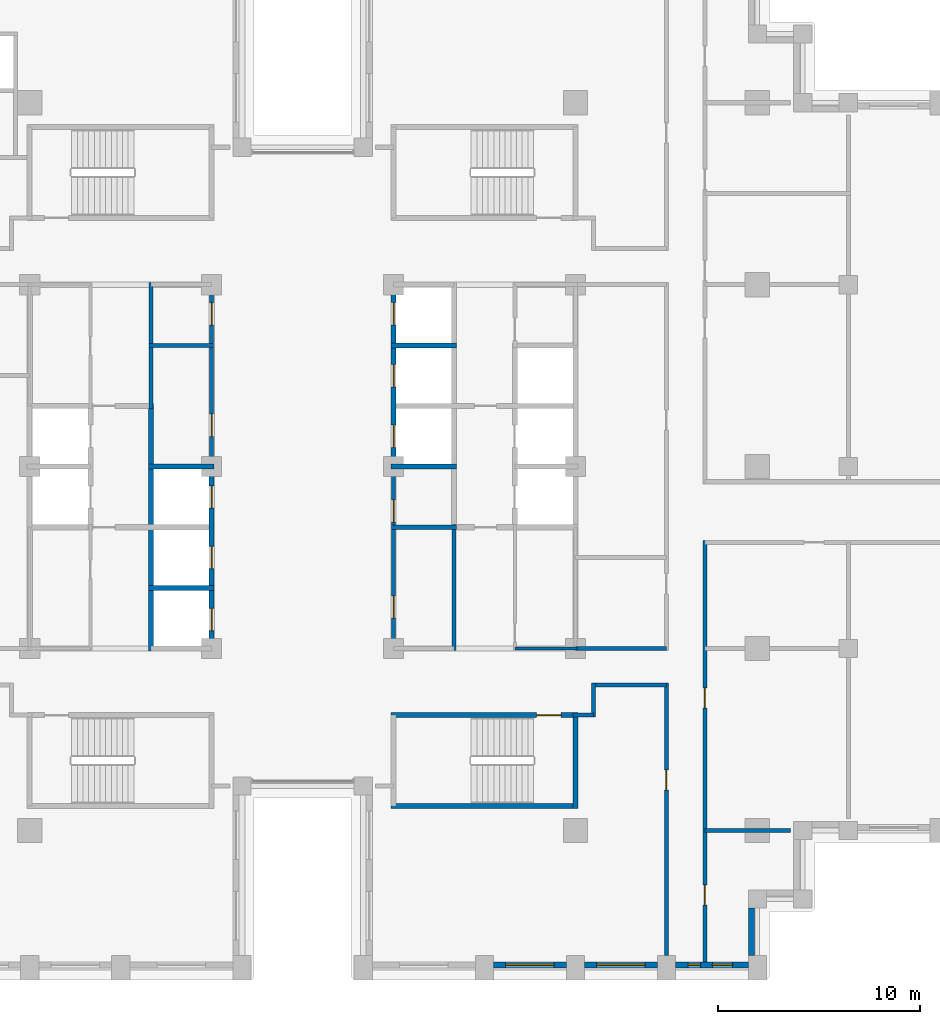
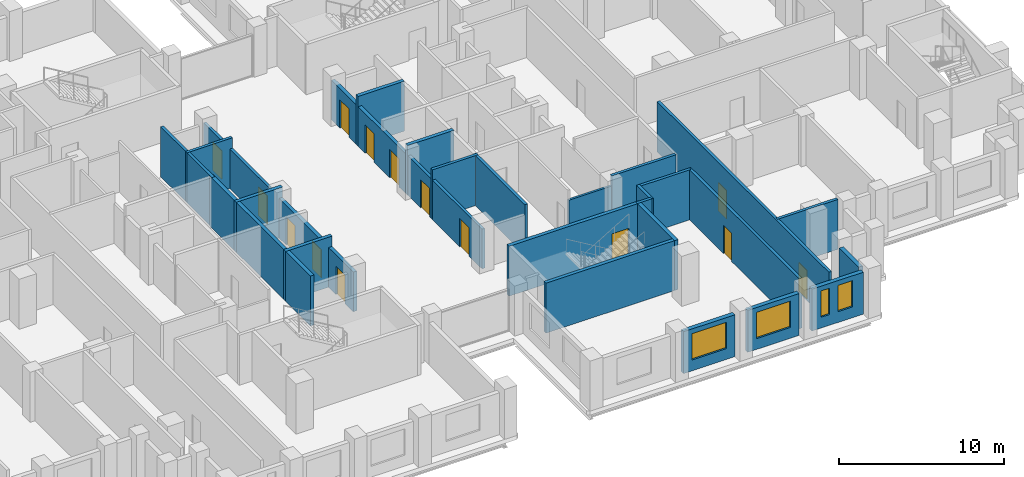
# One storey, part 8 of 15: 28 walls, 14 doors, 4 windows, 18 openings.
"""IFC4 building model written with IfcOpenShell, lengths in metres."""

from ifc_helpers import new_model, si_unit, direction, frame, frame_2d, origin, place, context, subcontext, project, spatial, rectangle, extrude, material, layer, layer_set, type_object, element, fill, save


model = new_model("IFC4")

# Units and contexts
model_context = context("Model", 3, precision=1e-05, world=origin(), true_north=direction((0.0, 1.0)))
body_context = subcontext(model_context, "Body", "Model", "MODEL_VIEW")
ifc_project = project(units=[si_unit("LENGTHUNIT", "METRE"), si_unit("AREAUNIT", "SQUARE_METRE"), si_unit("VOLUMEUNIT", "CUBIC_METRE"), si_unit("PLANEANGLEUNIT", "RADIAN"), si_unit("MASSUNIT", "GRAM", prefix="KILO")], contexts=[model_context])

# Site, building, storey
site_placement = place(None, origin())
site = spatial("IfcSite", under=ifc_project, at=site_placement, CompositionType="ELEMENT")
building_placement = place(site_placement, origin())
building = spatial("IfcBuilding", under=site, at=building_placement, Name="Corbelhall Arena Tower", CompositionType="ELEMENT")
storey_placement = place(building_placement, frame((0.0, 0.0, 100.0)))
storey = spatial("IfcBuildingStorey", under=building, at=storey_placement, Name="L17", CompositionType="ELEMENT", Elevation=100.0)

# Wall, opening, window
ifc_material_1 = material(Name="Precast concrete C40/50 with granite facing", Category="masonry")
ifc_layer_1 = layer(ifc_material_1, 0.300048828125)
ifc_layer_set_1 = layer_set([ifc_layer_1], Name="EV-IW1 Infill panel 300")
wall_type_1 = type_object("IfcWallType", Name="EV-IW1 Infill panel 300", PredefinedType="SOLIDWALL", material=ifc_layer_set_1)
wall_1_placement = place(storey_placement, frame((9.449951171875, -24.64990234375, 0.0), z_axis=(0.0, 0.0, 1.0), x_axis=(1.0, 0.0, 0.0)))
wall_1 = element("IfcWall", 1, at=wall_1_placement, inside=storey, type_object=wall_type_1, Name="Infill panel IW1", PredefinedType="SOLIDWALL", context=body_context, shape_type="SweptSolid", body=[
    extrude(rectangle(XDim=3.60009765625, YDim=0.300048828125, at=frame_2d((1.800048828125, 0.0))), origin(), (0.0, 0.0, 1.0), 3.10009765625),
])
opening_1_placement = place(wall_1_placement, frame((0.60009765625, 0.0, 0.800048828125)))
opening_1 = element("IfcOpeningElement", 2, at=opening_1_placement, cuts=wall_1, Name="Opening WN1", PredefinedType="OPENING", context=body_context, shape_type="SweptSolid", body=[
    extrude(rectangle(XDim=2.39990234375, YDim=1.949951171875, at=frame_2d((1.199951171875, 0.97509765625))), frame((0.0, 0.14990234375, 0.0), z_axis=(0.0, -1.0, 0.0), x_axis=(1.0, 0.0, 0.0)), (0.0, 0.0, 1.0), 0.300048828125),
])
ifc_material_2 = material(Name="Aluminium black anodised", Category="aluminium")
window_type_1 = type_object("IfcWindowType", Name="EV-WN1 Office window", PartitioningType="SINGLE_PANEL", PredefinedType="WINDOW", material=ifc_material_2)
window_1_placement = place(opening_1_placement, origin())
window_1 = element("IfcWindow", 3, at=window_1_placement, inside=storey, type_object=window_type_1, Name="Window WN1", OverallHeight=1.949951171875, OverallWidth=2.39990234375, PartitioningType="SINGLE_PANEL", PredefinedType="WINDOW", context=body_context, shape_type="SweptSolid", body=[
    extrude(rectangle(XDim=2.39990234375, YDim=1.949951171875, at=frame_2d((1.199951171875, 0.97509765625))), frame((0.0, 0.030029296875, 0.0), z_axis=(0.0, -1.0, 0.0), x_axis=(1.0, 0.0, 0.0)), (0.0, 0.0, 1.0), 0.06005859375),
])
fill(opening_1, window_1)

wall_2_placement = place(storey_placement, frame((13.949951171875, -24.64990234375, 0.0), z_axis=(0.0, 0.0, 1.0), x_axis=(1.0, 0.0, 0.0)))
wall_2 = element("IfcWall", 4, at=wall_2_placement, inside=storey, type_object=wall_type_1, Name="Infill panel IW1", PredefinedType="SOLIDWALL", context=body_context, shape_type="SweptSolid", body=[
    extrude(rectangle(XDim=3.60009765625, YDim=0.300048828125, at=frame_2d((1.800048828125, 0.0))), origin(), (0.0, 0.0, 1.0), 3.10009765625),
])
opening_2_placement = place(wall_2_placement, frame((0.60009765625, 0.0, 0.800048828125)))
opening_2 = element("IfcOpeningElement", 5, at=opening_2_placement, cuts=wall_2, Name="Opening WN1", PredefinedType="OPENING", context=body_context, shape_type="SweptSolid", body=[
    extrude(rectangle(XDim=2.39990234375, YDim=1.949951171875, at=frame_2d((1.199951171875, 0.97509765625))), frame((0.0, 0.14990234375, 0.0), z_axis=(0.0, -1.0, 0.0), x_axis=(1.0, 0.0, 0.0)), (0.0, 0.0, 1.0), 0.300048828125),
])
window_2_placement = place(opening_2_placement, origin())
window_2 = element("IfcWindow", 6, at=window_2_placement, inside=storey, type_object=window_type_1, Name="Window WN1", OverallHeight=1.949951171875, OverallWidth=2.39990234375, PartitioningType="SINGLE_PANEL", PredefinedType="WINDOW", context=body_context, shape_type="SweptSolid", body=[
    extrude(rectangle(XDim=2.39990234375, YDim=1.949951171875, at=frame_2d((1.199951171875, 0.97509765625))), frame((0.0, 0.030029296875, 0.0), z_axis=(0.0, -1.0, 0.0), x_axis=(1.0, 0.0, 0.0)), (0.0, 0.0, 1.0), 0.06005859375),
])
fill(opening_2, window_2)

# Wall, openings, windows
wall_3_placement = place(storey_placement, frame((18.449951171875, -24.64990234375, 0.0), z_axis=(0.0, 0.0, 1.0), x_axis=(1.0, 0.0, 0.0)))
wall_3 = element("IfcWall", 7, at=wall_3_placement, inside=storey, type_object=wall_type_1, Name="Infill panel IW1", PredefinedType="SOLIDWALL", context=body_context, shape_type="SweptSolid", body=[
    extrude(rectangle(XDim=3.60009765625, YDim=0.300048828125, at=frame_2d((1.800048828125, 0.0))), origin(), (0.0, 0.0, 1.0), 3.10009765625),
])
opening_3_placement = place(wall_3_placement, frame((0.625, 0.0, 0.800048828125)))
opening_3 = element("IfcOpeningElement", 8, at=opening_3_placement, cuts=wall_3, Name="Opening WN5", PredefinedType="OPENING", context=body_context, shape_type="SweptSolid", body=[
    extrude(rectangle(XDim=0.60009765625, YDim=1.949951171875, at=frame_2d((0.300048828125, 0.97509765625))), frame((0.0, 0.14990234375, 0.0), z_axis=(0.0, -1.0, 0.0), x_axis=(1.0, 0.0, 0.0)), (0.0, 0.0, 1.0), 0.300048828125),
])
opening_4_placement = place(wall_3_placement, frame((1.824951171875, 0.0, 0.800048828125)))
opening_4 = element("IfcOpeningElement", 9, at=opening_4_placement, cuts=wall_3, Name="Opening WN6", PredefinedType="OPENING", context=body_context, shape_type="SweptSolid", body=[
    extrude(rectangle(XDim=1.0, YDim=1.949951171875, at=frame_2d((0.5, 0.97509765625))), frame((0.0, 0.14990234375, 0.0), z_axis=(0.0, -1.0, 0.0), x_axis=(1.0, 0.0, 0.0)), (0.0, 0.0, 1.0), 0.300048828125),
])
window_type_2 = type_object("IfcWindowType", Name="EV-WN5 Office window 600", PartitioningType="SINGLE_PANEL", PredefinedType="WINDOW", material=ifc_material_2)
window_3_placement = place(opening_3_placement, origin())
window_3 = element("IfcWindow", 10, at=window_3_placement, inside=storey, type_object=window_type_2, Name="Window WN5", OverallHeight=1.949951171875, OverallWidth=0.60009765625, PartitioningType="SINGLE_PANEL", PredefinedType="WINDOW", context=body_context, shape_type="SweptSolid", body=[
    extrude(rectangle(XDim=0.60009765625, YDim=1.949951171875, at=frame_2d((0.300048828125, 0.97509765625))), frame((0.0, 0.030029296875, 0.0), z_axis=(0.0, -1.0, 0.0), x_axis=(1.0, 0.0, 0.0)), (0.0, 0.0, 1.0), 0.06005859375),
])
fill(opening_3, window_3)
window_type_3 = type_object("IfcWindowType", Name="EV-WN6 Office window 1000", PartitioningType="SINGLE_PANEL", PredefinedType="WINDOW", material=ifc_material_2)
window_4_placement = place(opening_4_placement, origin())
window_4 = element("IfcWindow", 11, at=window_4_placement, inside=storey, type_object=window_type_3, Name="Window WN6", OverallHeight=1.949951171875, OverallWidth=1.0, PartitioningType="SINGLE_PANEL", PredefinedType="WINDOW", context=body_context, shape_type="SweptSolid", body=[
    extrude(rectangle(XDim=1.0, YDim=1.949951171875, at=frame_2d((0.5, 0.97509765625))), frame((0.0, 0.030029296875, 0.0), z_axis=(0.0, -1.0, 0.0), x_axis=(1.0, 0.0, 0.0)), (0.0, 0.0, 1.0), 0.06005859375),
])
fill(opening_4, window_4)

# Walls
wall_4_placement = place(storey_placement, frame((22.199951171875, -24.199951171875, 0.0), z_axis=(0.0, 0.0, 1.0), x_axis=(0.0, 1.0, 0.0)))
element("IfcWall", 12, at=wall_4_placement, inside=storey, type_object=wall_type_1, Name="Infill panel IW1", PredefinedType="SOLIDWALL", context=body_context, shape_type="SweptSolid", body=[
    extrude(rectangle(XDim=2.349853515625, YDim=0.300048828125, at=frame_2d((1.1748046875, 0.0))), origin(), (0.0, 0.0, 1.0), 3.10009765625),
])
ifc_material_3 = material(Name="Gypsum board on steel stud, acoustic", Category="steel")
ifc_layer_2 = layer(ifc_material_3, 0.199951171875)
ifc_layer_set_2 = layer_set([ifc_layer_2], Name="IN-W-DM200")
wall_type_2 = type_object("IfcWallType", Name="IN-W-DM200", PredefinedType="PARTITIONING", material=ifc_layer_set_2)
wall_5_placement = place(storey_placement, frame((13.5, -9.0, 0.0), z_axis=(0.0, 0.0, 1.0), x_axis=(1.0, 0.0, 0.0)))
element("IfcWall", 13, at=wall_5_placement, inside=storey, type_object=wall_type_2, Name="Partition 037", PredefinedType="PARTITIONING", context=body_context, shape_type="SweptSolid", body=[
    extrude(rectangle(XDim=4.5, YDim=0.199951171875, at=frame_2d((2.25, 0.0))), origin(), (0.0, 0.0, 1.0), 3.699951171875),
])
wall_6_placement = place(storey_placement, frame((14.39990234375, -12.300048828125, 0.0), z_axis=(0.0, 0.0, 1.0), x_axis=(-1.0, 0.0, 0.0)))
element("IfcWall", 14, at=wall_6_placement, inside=storey, type_object=wall_type_2, Name="Partition 039", PredefinedType="PARTITIONING", context=body_context, shape_type="SweptSolid", body=[
    extrude(rectangle(XDim=1.02490234375, YDim=0.199951171875, at=frame_2d((0.512451171875, 0.0))), origin(), (0.0, 0.0, 1.0), 3.699951171875),
])
wall_7_placement = place(storey_placement, frame((14.39990234375, -10.699951171875, 0.0), z_axis=(0.0, 0.0, 1.0), x_axis=(0.0, -1.0, 0.0)))
element("IfcWall", 15, at=wall_7_placement, inside=storey, type_object=wall_type_2, Name="Partition 040", PredefinedType="PARTITIONING", context=body_context, shape_type="SweptSolid", body=[
    extrude(rectangle(XDim=1.699951171875, YDim=0.199951171875, at=frame_2d((0.85009765625, 0.0))), origin(), (0.0, 0.0, 1.0), 3.699951171875),
])

# Wall, opening, door
wall_8_placement = place(storey_placement, frame((18.0, -24.199951171875, 0.0), z_axis=(0.0, 0.0, 1.0), x_axis=(0.0, 1.0, 0.0)))
wall_8 = element("IfcWall", 16, at=wall_8_placement, inside=storey, type_object=wall_type_2, Name="Partition 044", PredefinedType="PARTITIONING", context=body_context, shape_type="SweptSolid", body=[
    extrude(rectangle(XDim=13.5, YDim=0.199951171875, at=frame_2d((6.75, 0.0))), origin(), (0.0, 0.0, 1.0), 3.699951171875),
])
opening_5_placement = place(wall_8_placement, frame((8.199951171875, 0.0, 0.0)))
opening_5 = element("IfcOpeningElement", 17, at=opening_5_placement, cuts=wall_8, Name="Opening 03028", PredefinedType="OPENING", context=body_context, shape_type="SweptSolid", body=[
    extrude(rectangle(XDim=1.0, YDim=2.10009765625, at=frame_2d((0.5, 1.050048828125))), frame((0.0, 0.10009765625, 0.0), z_axis=(0.0, -1.0, 0.0), x_axis=(1.0, 0.0, 0.0)), (0.0, 0.0, 1.0), 0.199951171875),
])
ifc_material_4 = material(Name="Steel door set", Category="steel")
door_type_1 = type_object("IfcDoorType", Name="IN-D-SW100", OperationType="NOTDEFINED", PredefinedType="DOOR", material=ifc_material_4)
door_1_placement = place(opening_5_placement, origin())
door_1 = element("IfcDoor", 18, at=door_1_placement, inside=storey, type_object=door_type_1, Name="Door 028", OperationType="SINGLE_SWING_LEFT", OverallHeight=2.10009765625, OverallWidth=1.0, PredefinedType="DOOR", context=body_context, shape_type="SweptSolid", body=[
    extrude(rectangle(XDim=1.0, YDim=2.10009765625, at=frame_2d((0.5, 1.050048828125))), frame((0.0, 0.02490234375, 0.0), z_axis=(0.0, -1.0, 0.0), x_axis=(1.0, 0.0, 0.0)), (0.0, 0.0, 1.0), 0.050048828125),
])
fill(opening_5, door_1)

# Walls
wall_9_placement = place(storey_placement, frame((18.0, -10.800048828125, 0.0), z_axis=(0.0, 0.0, 1.0), x_axis=(-1.0, 0.0, 0.0)))
element("IfcWall", 19, at=wall_9_placement, inside=storey, type_object=wall_type_2, Name="Partition 045", PredefinedType="PARTITIONING", context=body_context, shape_type="SweptSolid", body=[
    extrude(rectangle(XDim=3.60009765625, YDim=0.199951171875, at=frame_2d((1.800048828125, 0.0))), origin(), (0.0, 0.0, 1.0), 3.699951171875),
])
wall_10_placement = place(storey_placement, frame((19.89990234375, -18.0, 0.0), z_axis=(0.0, 0.0, 1.0), x_axis=(1.0, 0.0, 0.0)))
element("IfcWall", 20, at=wall_10_placement, inside=storey, type_object=wall_type_2, Name="Partition 048", PredefinedType="PARTITIONING", context=body_context, shape_type="SweptSolid", body=[
    extrude(rectangle(XDim=4.25, YDim=0.199951171875, at=frame_2d((2.125, 0.0))), origin(), (0.0, 0.0, 1.0), 3.699951171875),
])

# Wall, openings, doors
wall_11_placement = place(storey_placement, frame((19.89990234375, -3.64990234375, 0.0), z_axis=(0.0, 0.0, 1.0), x_axis=(0.0, -1.0, 0.0)))
wall_11 = element("IfcWall", 21, at=wall_11_placement, inside=storey, type_object=wall_type_2, Name="Partition 049", PredefinedType="PARTITIONING", context=body_context, shape_type="SweptSolid", body=[
    extrude(rectangle(XDim=20.85009765625, YDim=0.199951171875, at=frame_2d((10.425048828125, 0.0))), origin(), (0.0, 0.0, 1.0), 3.699951171875),
])
opening_6_placement = place(wall_11_placement, frame((17.050048828125, 0.0, 0.0)))
opening_6 = element("IfcOpeningElement", 22, at=opening_6_placement, cuts=wall_11, Name="Opening 03038", PredefinedType="OPENING", context=body_context, shape_type="SweptSolid", body=[
    extrude(rectangle(XDim=1.0, YDim=2.10009765625, at=frame_2d((0.5, 1.050048828125))), frame((0.0, 0.10009765625, 0.0), z_axis=(0.0, -1.0, 0.0), x_axis=(1.0, 0.0, 0.0)), (0.0, 0.0, 1.0), 0.199951171875),
])
opening_7_placement = place(wall_11_placement, frame((7.300048828125, 0.0, 0.0)))
opening_7 = element("IfcOpeningElement", 23, at=opening_7_placement, cuts=wall_11, Name="Opening 03039", PredefinedType="OPENING", context=body_context, shape_type="SweptSolid", body=[
    extrude(rectangle(XDim=1.0, YDim=2.10009765625, at=frame_2d((0.5, 1.050048828125))), frame((0.0, 0.10009765625, 0.0), z_axis=(0.0, -1.0, 0.0), x_axis=(1.0, 0.0, 0.0)), (0.0, 0.0, 1.0), 0.199951171875),
])
door_2_placement = place(opening_6_placement, origin())
door_2 = element("IfcDoor", 24, at=door_2_placement, inside=storey, type_object=door_type_1, Name="Door 038", OperationType="SINGLE_SWING_LEFT", OverallHeight=2.10009765625, OverallWidth=1.0, PredefinedType="DOOR", context=body_context, shape_type="SweptSolid", body=[
    extrude(rectangle(XDim=1.0, YDim=2.10009765625, at=frame_2d((0.5, 1.050048828125))), frame((0.0, 0.02490234375, 0.0), z_axis=(0.0, -1.0, 0.0), x_axis=(1.0, 0.0, 0.0)), (0.0, 0.0, 1.0), 0.050048828125),
])
fill(opening_6, door_2)
door_3_placement = place(opening_7_placement, origin())
door_3 = element("IfcDoor", 25, at=door_3_placement, inside=storey, type_object=door_type_1, Name="Door 039", OperationType="SINGLE_SWING_RIGHT", OverallHeight=2.10009765625, OverallWidth=1.0, PredefinedType="DOOR", context=body_context, shape_type="SweptSolid", body=[
    extrude(rectangle(XDim=1.0, YDim=2.10009765625, at=frame_2d((0.5, 1.050048828125))), frame((0.0, 0.02490234375, 0.0), z_axis=(0.0, -1.0, 0.0), x_axis=(1.0, 0.0, 0.0)), (0.0, 0.0, 1.0), 0.050048828125),
])
fill(opening_7, door_3)

# Walls
ifc_material_5 = material(Name="Concrete block wall", Category="concrete")
ifc_layer_3 = layer(ifc_material_5, 0.199951171875)
ifc_layer_set_3 = layer_set([ifc_layer_3], Name="IN-W-RS200")
wall_type_3 = type_object("IfcWallType", Name="IN-W-RS200", PredefinedType="SOLIDWALL", material=ifc_layer_set_3)
wall_12_placement = place(storey_placement, frame((-7.60009765625, 6.0, 0.0), z_axis=(0.0, 0.0, 1.0), x_axis=(1.0, 0.0, 0.0)))
element("IfcWall", 26, at=wall_12_placement, inside=storey, type_object=wall_type_3, Name="Partition 063", PredefinedType="SOLIDWALL", context=body_context, shape_type="SweptSolid", body=[
    extrude(rectangle(XDim=3.2001953125, YDim=0.199951171875, at=frame_2d((1.60009765625, 0.0))), origin(), (0.0, 0.0, 1.0), 3.699951171875),
])
wall_13_placement = place(storey_placement, frame((-7.5, 2.875, 0.0), z_axis=(0.0, 0.0, 1.0), x_axis=(0.0, 1.0, 0.0)))
element("IfcWall", 27, at=wall_13_placement, inside=storey, type_object=wall_type_3, Name="Partition 064", PredefinedType="SOLIDWALL", context=body_context, shape_type="SweptSolid", body=[
    extrude(rectangle(XDim=6.22509765625, YDim=0.199951171875, at=frame_2d((3.112548828125, 0.0))), origin(), (0.0, 0.0, 1.0), 3.699951171875),
])
wall_14_placement = place(storey_placement, frame((4.39990234375, -3.0, 0.0), z_axis=(0.0, 0.0, 1.0), x_axis=(1.0, 0.0, 0.0)))
element("IfcWall", 28, at=wall_14_placement, inside=storey, type_object=wall_type_3, Name="Partition 067", PredefinedType="SOLIDWALL", context=body_context, shape_type="SweptSolid", body=[
    extrude(rectangle(XDim=3.22509765625, YDim=0.199951171875, at=frame_2d((1.612548828125, 0.0))), origin(), (0.0, 0.0, 1.0), 3.699951171875),
])
wall_15_placement = place(storey_placement, frame((7.5, -2.875, 0.0), z_axis=(0.0, 0.0, 1.0), x_axis=(0.0, -1.0, 0.0)))
element("IfcWall", 29, at=wall_15_placement, inside=storey, type_object=wall_type_3, Name="Partition 070", PredefinedType="SOLIDWALL", context=body_context, shape_type="SweptSolid", body=[
    extrude(rectangle(XDim=6.22509765625, YDim=0.199951171875, at=frame_2d((3.112548828125, 0.0))), origin(), (0.0, 0.0, 1.0), 3.699951171875),
])

# Wall, openings, doors
ifc_layer_4 = layer(ifc_material_5, 0.199951171875)
ifc_layer_set_4 = layer_set([ifc_layer_4], Name="IN-W-RS200 under beam 762 mm")
wall_type_4 = type_object("IfcWallType", Name="IN-W-RS200 under beam 762 mm", PredefinedType="SOLIDWALL", material=ifc_layer_set_4)
wall_16_placement = place(storey_placement, frame((-4.5, 9.10009765625, 0.0), z_axis=(0.0, 0.0, 1.0), x_axis=(0.0, -1.0, 0.0)))
wall_16 = element("IfcWall", 30, at=wall_16_placement, inside=storey, type_object=wall_type_4, Name="Partition 066", PredefinedType="SOLIDWALL", context=body_context, shape_type="SweptSolid", body=[
    extrude(rectangle(XDim=9.10009765625, YDim=0.199951171875, at=frame_2d((4.550048828125, 0.0))), origin(), (0.0, 0.0, 1.0), 2.93798828125),
])
opening_8_placement = place(wall_16_placement, frame((6.5, 0.0, 0.0)))
opening_8 = element("IfcOpeningElement", 31, at=opening_8_placement, cuts=wall_16, Name="Opening 03001", PredefinedType="OPENING", context=body_context, shape_type="SweptSolid", body=[
    extrude(rectangle(XDim=1.10009765625, YDim=2.10009765625, at=frame_2d((0.550048828125, 1.050048828125))), frame((0.0, 0.10009765625, 0.0), z_axis=(0.0, -1.0, 0.0), x_axis=(1.0, 0.0, 0.0)), (0.0, 0.0, 1.0), 0.199951171875),
])
opening_9_placement = place(wall_16_placement, frame((1.0, 0.0, 0.0)))
opening_9 = element("IfcOpeningElement", 32, at=opening_9_placement, cuts=wall_16, Name="Opening 03002", PredefinedType="OPENING", context=body_context, shape_type="SweptSolid", body=[
    extrude(rectangle(XDim=1.10009765625, YDim=2.10009765625, at=frame_2d((0.550048828125, 1.050048828125))), frame((0.0, 0.10009765625, 0.0), z_axis=(0.0, -1.0, 0.0), x_axis=(1.0, 0.0, 0.0)), (0.0, 0.0, 1.0), 0.199951171875),
])
door_type_2 = type_object("IfcDoorType", Name="IN-D-FD110", OperationType="NOTDEFINED", PredefinedType="DOOR", material=ifc_material_4)
door_4_placement = place(opening_8_placement, origin())
door_4 = element("IfcDoor", 33, at=door_4_placement, inside=storey, type_object=door_type_2, Name="Door 001", OperationType="SINGLE_SWING_RIGHT", OverallHeight=2.10009765625, OverallWidth=1.10009765625, PredefinedType="DOOR", context=body_context, shape_type="SweptSolid", body=[
    extrude(rectangle(XDim=1.10009765625, YDim=2.10009765625, at=frame_2d((0.550048828125, 1.050048828125))), frame((0.0, 0.02490234375, 0.0), z_axis=(0.0, -1.0, 0.0), x_axis=(1.0, 0.0, 0.0)), (0.0, 0.0, 1.0), 0.050048828125),
])
fill(opening_8, door_4)
door_5_placement = place(opening_9_placement, origin())
door_5 = element("IfcDoor", 34, at=door_5_placement, inside=storey, type_object=door_type_2, Name="Door 002", OperationType="SINGLE_SWING_LEFT", OverallHeight=2.10009765625, OverallWidth=1.10009765625, PredefinedType="DOOR", context=body_context, shape_type="SweptSolid", body=[
    extrude(rectangle(XDim=1.10009765625, YDim=2.10009765625, at=frame_2d((0.550048828125, 1.050048828125))), frame((0.0, 0.02490234375, 0.0), z_axis=(0.0, -1.0, 0.0), x_axis=(1.0, 0.0, 0.0)), (0.0, 0.0, 1.0), 0.050048828125),
])
fill(opening_9, door_5)

wall_17_placement = place(storey_placement, frame((4.5, -9.10009765625, 0.0), z_axis=(0.0, 0.0, 1.0), x_axis=(0.0, 1.0, 0.0)))
wall_17 = element("IfcWall", 35, at=wall_17_placement, inside=storey, type_object=wall_type_4, Name="Partition 068", PredefinedType="SOLIDWALL", context=body_context, shape_type="SweptSolid", body=[
    extrude(rectangle(XDim=9.10009765625, YDim=0.199951171875, at=frame_2d((4.550048828125, 0.0))), origin(), (0.0, 0.0, 1.0), 2.93798828125),
])
opening_10_placement = place(wall_17_placement, frame((1.60009765625, 0.0, 0.0)))
opening_10 = element("IfcOpeningElement", 36, at=opening_10_placement, cuts=wall_17, Name="Opening 03007", PredefinedType="OPENING", context=body_context, shape_type="SweptSolid", body=[
    extrude(rectangle(XDim=1.10009765625, YDim=2.10009765625, at=frame_2d((0.550048828125, 1.050048828125))), frame((0.0, 0.10009765625, 0.0), z_axis=(0.0, -1.0, 0.0), x_axis=(1.0, 0.0, 0.0)), (0.0, 0.0, 1.0), 0.199951171875),
])
opening_11_placement = place(wall_17_placement, frame((6.35009765625, 0.0, 0.0)))
opening_11 = element("IfcOpeningElement", 37, at=opening_11_placement, cuts=wall_17, Name="Opening 03008", PredefinedType="OPENING", context=body_context, shape_type="SweptSolid", body=[
    extrude(rectangle(XDim=1.10009765625, YDim=2.10009765625, at=frame_2d((0.550048828125, 1.050048828125))), frame((0.0, 0.10009765625, 0.0), z_axis=(0.0, -1.0, 0.0), x_axis=(1.0, 0.0, 0.0)), (0.0, 0.0, 1.0), 0.199951171875),
])
door_6_placement = place(opening_10_placement, origin())
door_6 = element("IfcDoor", 38, at=door_6_placement, inside=storey, type_object=door_type_2, Name="Door 007", OperationType="SINGLE_SWING_RIGHT", OverallHeight=2.10009765625, OverallWidth=1.10009765625, PredefinedType="DOOR", context=body_context, shape_type="SweptSolid", body=[
    extrude(rectangle(XDim=1.10009765625, YDim=2.10009765625, at=frame_2d((0.550048828125, 1.050048828125))), frame((0.0, 0.02490234375, 0.0), z_axis=(0.0, -1.0, 0.0), x_axis=(1.0, 0.0, 0.0)), (0.0, 0.0, 1.0), 0.050048828125),
])
fill(opening_10, door_6)
door_7_placement = place(opening_11_placement, origin())
door_7 = element("IfcDoor", 39, at=door_7_placement, inside=storey, type_object=door_type_2, Name="Door 008", OperationType="SINGLE_SWING_LEFT", OverallHeight=2.10009765625, OverallWidth=1.10009765625, PredefinedType="DOOR", context=body_context, shape_type="SweptSolid", body=[
    extrude(rectangle(XDim=1.10009765625, YDim=2.10009765625, at=frame_2d((0.550048828125, 1.050048828125))), frame((0.0, 0.02490234375, 0.0), z_axis=(0.0, -1.0, 0.0), x_axis=(1.0, 0.0, 0.0)), (0.0, 0.0, 1.0), 0.050048828125),
])
fill(opening_11, door_7)

# Walls
ifc_material_6 = material(Name="Concrete C40/50", Category="concrete")
ifc_layer_5 = layer(ifc_material_6, 0.25)
ifc_layer_set_5 = layer_set([ifc_layer_5], Name="IN-W-SH250")
wall_type_5 = type_object("IfcWallType", Name="IN-W-SH250", PredefinedType="SOLIDWALL", material=ifc_layer_set_5)
for number, where, z_axis, x_axis, name in (
    (40, (-7.625, -6.0, 0.0), (0.0, 0.0, 1.0), (1.0, 0.0, 0.0), "Shaft wall 079"),
    (41, (-7.625, 0.0, 0.0), (0.0, 0.0, 1.0), (1.0, 0.0, 0.0), "Shaft wall 080"),
):
    element("IfcWall", number, at=place(storey_placement, frame(where, z_axis=z_axis, x_axis=x_axis)), inside=storey, type_object=wall_type_5, Name=name, PredefinedType="SOLIDWALL", context=body_context, shape_type="SweptSolid", body=[
        extrude(rectangle(XDim=3.25, YDim=0.25, at=frame_2d((1.625, 0.0))), origin(), (0.0, 0.0, 1.0), 3.699951171875),
    ])
wall_18_placement = place(storey_placement, frame((-7.5, -9.125, 0.0), z_axis=(0.0, 0.0, 1.0), x_axis=(0.0, 1.0, 0.0)))
element("IfcWall", 42, at=wall_18_placement, inside=storey, type_object=wall_type_5, Name="Shaft wall 081", PredefinedType="SOLIDWALL", context=body_context, shape_type="SweptSolid", body=[
    extrude(rectangle(XDim=12.25, YDim=0.25, at=frame_2d((6.125, 0.0))), origin(), (0.0, 0.0, 1.0), 3.699951171875),
])
for number, where, z_axis, x_axis, name in (
    (43, (4.375, 0.0, 0.0), (0.0, 0.0, 1.0), (1.0, 0.0, 0.0), "Shaft wall 084"),
    (44, (4.375, 6.0, 0.0), (0.0, 0.0, 1.0), (1.0, 0.0, 0.0), "Shaft wall 086"),
):
    element("IfcWall", number, at=place(storey_placement, frame(where, z_axis=z_axis, x_axis=x_axis)), inside=storey, type_object=wall_type_5, Name=name, PredefinedType="SOLIDWALL", context=body_context, shape_type="SweptSolid", body=[
        extrude(rectangle(XDim=3.25, YDim=0.25, at=frame_2d((1.625, 0.0))), origin(), (0.0, 0.0, 1.0), 3.699951171875),
    ])

# Wall, openings, doors
ifc_layer_6 = layer(ifc_material_6, 0.25)
ifc_layer_set_6 = layer_set([ifc_layer_6], Name="IN-W-SH250 under beam 762 mm")
wall_type_6 = type_object("IfcWallType", Name="IN-W-SH250 under beam 762 mm", PredefinedType="SOLIDWALL", material=ifc_layer_set_6)
wall_19_placement = place(storey_placement, frame((-4.5, 0.0, 0.0), z_axis=(0.0, 0.0, 1.0), x_axis=(0.0, -1.0, 0.0)))
wall_19 = element("IfcWall", 45, at=wall_19_placement, inside=storey, type_object=wall_type_6, Name="Shaft wall 083", PredefinedType="SOLIDWALL", context=body_context, shape_type="SweptSolid", body=[
    extrude(rectangle(XDim=9.125, YDim=0.25, at=frame_2d((4.5625, 0.0))), origin(), (0.0, 0.0, 1.0), 2.93798828125),
])
opening_12_placement = place(wall_19_placement, frame((7.012451171875, 0.0, 0.0)))
opening_12 = element("IfcOpeningElement", 46, at=opening_12_placement, cuts=wall_19, Name="Opening LD", PredefinedType="OPENING", context=body_context, shape_type="SweptSolid", body=[
    extrude(rectangle(XDim=1.10009765625, YDim=2.10009765625, at=frame_2d((0.550048828125, 1.050048828125))), frame((0.0, 0.125, 0.0), z_axis=(0.0, -1.0, 0.0), x_axis=(1.0, 0.0, 0.0)), (0.0, 0.0, 1.0), 0.25),
])
opening_13_placement = place(wall_19_placement, frame((3.949951171875, 0.0, 0.0)))
opening_13 = element("IfcOpeningElement", 47, at=opening_13_placement, cuts=wall_19, Name="Opening LD", PredefinedType="OPENING", context=body_context, shape_type="SweptSolid", body=[
    extrude(rectangle(XDim=1.10009765625, YDim=2.10009765625, at=frame_2d((0.550048828125, 1.050048828125))), frame((0.0, 0.125, 0.0), z_axis=(0.0, -1.0, 0.0), x_axis=(1.0, 0.0, 0.0)), (0.0, 0.0, 1.0), 0.25),
])
opening_14_placement = place(wall_19_placement, frame((0.949951171875, 0.0, 0.0)))
opening_14 = element("IfcOpeningElement", 48, at=opening_14_placement, cuts=wall_19, Name="Opening LD", PredefinedType="OPENING", context=body_context, shape_type="SweptSolid", body=[
    extrude(rectangle(XDim=1.10009765625, YDim=2.10009765625, at=frame_2d((0.550048828125, 1.050048828125))), frame((0.0, 0.125, 0.0), z_axis=(0.0, -1.0, 0.0), x_axis=(1.0, 0.0, 0.0)), (0.0, 0.0, 1.0), 0.25),
])
door_type_3 = type_object("IfcDoorType", Name="IN-D-LD110", OperationType="NOTDEFINED", PredefinedType="DOOR", material=ifc_material_4)
door_8_placement = place(opening_12_placement, origin())
door_8 = element("IfcDoor", 49, at=door_8_placement, inside=storey, type_object=door_type_3, Name="Landing door W1", OperationType="SLIDING_TO_LEFT", OverallHeight=2.10009765625, OverallWidth=1.10009765625, PredefinedType="DOOR", context=body_context, shape_type="SweptSolid", body=[
    extrude(rectangle(XDim=1.10009765625, YDim=2.10009765625, at=frame_2d((0.550048828125, 1.050048828125))), frame((0.0, 0.02490234375, 0.0), z_axis=(0.0, -1.0, 0.0), x_axis=(1.0, 0.0, 0.0)), (0.0, 0.0, 1.0), 0.050048828125),
])
fill(opening_12, door_8)
door_9_placement = place(opening_13_placement, origin())
door_9 = element("IfcDoor", 50, at=door_9_placement, inside=storey, type_object=door_type_3, Name="Landing door W2", OperationType="SLIDING_TO_LEFT", OverallHeight=2.10009765625, OverallWidth=1.10009765625, PredefinedType="DOOR", context=body_context, shape_type="SweptSolid", body=[
    extrude(rectangle(XDim=1.10009765625, YDim=2.10009765625, at=frame_2d((0.550048828125, 1.050048828125))), frame((0.0, 0.02490234375, 0.0), z_axis=(0.0, -1.0, 0.0), x_axis=(1.0, 0.0, 0.0)), (0.0, 0.0, 1.0), 0.050048828125),
])
fill(opening_13, door_9)
door_10_placement = place(opening_14_placement, origin())
door_10 = element("IfcDoor", 51, at=door_10_placement, inside=storey, type_object=door_type_3, Name="Landing door W3", OperationType="SLIDING_TO_LEFT", OverallHeight=2.10009765625, OverallWidth=1.10009765625, PredefinedType="DOOR", context=body_context, shape_type="SweptSolid", body=[
    extrude(rectangle(XDim=1.10009765625, YDim=2.10009765625, at=frame_2d((0.550048828125, 1.050048828125))), frame((0.0, 0.02490234375, 0.0), z_axis=(0.0, -1.0, 0.0), x_axis=(1.0, 0.0, 0.0)), (0.0, 0.0, 1.0), 0.050048828125),
])
fill(opening_14, door_10)

wall_20_placement = place(storey_placement, frame((4.5, 0.0, 0.0), z_axis=(0.0, 0.0, 1.0), x_axis=(0.0, 1.0, 0.0)))
wall_20 = element("IfcWall", 52, at=wall_20_placement, inside=storey, type_object=wall_type_6, Name="Shaft wall 087", PredefinedType="SOLIDWALL", context=body_context, shape_type="SweptSolid", body=[
    extrude(rectangle(XDim=9.125, YDim=0.25, at=frame_2d((4.5625, 0.0))), origin(), (0.0, 0.0, 1.0), 2.93798828125),
])
opening_15_placement = place(wall_20_placement, frame((0.949951171875, 0.0, 0.0)))
opening_15 = element("IfcOpeningElement", 53, at=opening_15_placement, cuts=wall_20, Name="Opening LD", PredefinedType="OPENING", context=body_context, shape_type="SweptSolid", body=[
    extrude(rectangle(XDim=1.10009765625, YDim=2.10009765625, at=frame_2d((0.550048828125, 1.050048828125))), frame((0.0, 0.125, 0.0), z_axis=(0.0, -1.0, 0.0), x_axis=(1.0, 0.0, 0.0)), (0.0, 0.0, 1.0), 0.25),
])
opening_16_placement = place(wall_20_placement, frame((3.949951171875, 0.0, 0.0)))
opening_16 = element("IfcOpeningElement", 54, at=opening_16_placement, cuts=wall_20, Name="Opening LD", PredefinedType="OPENING", context=body_context, shape_type="SweptSolid", body=[
    extrude(rectangle(XDim=1.10009765625, YDim=2.10009765625, at=frame_2d((0.550048828125, 1.050048828125))), frame((0.0, 0.125, 0.0), z_axis=(0.0, -1.0, 0.0), x_axis=(1.0, 0.0, 0.0)), (0.0, 0.0, 1.0), 0.25),
])
opening_17_placement = place(wall_20_placement, frame((7.012451171875, 0.0, 0.0)))
opening_17 = element("IfcOpeningElement", 55, at=opening_17_placement, cuts=wall_20, Name="Opening LD", PredefinedType="OPENING", context=body_context, shape_type="SweptSolid", body=[
    extrude(rectangle(XDim=1.10009765625, YDim=2.10009765625, at=frame_2d((0.550048828125, 1.050048828125))), frame((0.0, 0.125, 0.0), z_axis=(0.0, -1.0, 0.0), x_axis=(1.0, 0.0, 0.0)), (0.0, 0.0, 1.0), 0.25),
])
door_11_placement = place(opening_15_placement, origin())
door_11 = element("IfcDoor", 56, at=door_11_placement, inside=storey, type_object=door_type_3, Name="Landing door E4", OperationType="SLIDING_TO_LEFT", OverallHeight=2.10009765625, OverallWidth=1.10009765625, PredefinedType="DOOR", context=body_context, shape_type="SweptSolid", body=[
    extrude(rectangle(XDim=1.10009765625, YDim=2.10009765625, at=frame_2d((0.550048828125, 1.050048828125))), frame((0.0, 0.02490234375, 0.0), z_axis=(0.0, -1.0, 0.0), x_axis=(1.0, 0.0, 0.0)), (0.0, 0.0, 1.0), 0.050048828125),
])
fill(opening_15, door_11)
door_12_placement = place(opening_16_placement, origin())
door_12 = element("IfcDoor", 57, at=door_12_placement, inside=storey, type_object=door_type_3, Name="Landing door E5", OperationType="SLIDING_TO_LEFT", OverallHeight=2.10009765625, OverallWidth=1.10009765625, PredefinedType="DOOR", context=body_context, shape_type="SweptSolid", body=[
    extrude(rectangle(XDim=1.10009765625, YDim=2.10009765625, at=frame_2d((0.550048828125, 1.050048828125))), frame((0.0, 0.02490234375, 0.0), z_axis=(0.0, -1.0, 0.0), x_axis=(1.0, 0.0, 0.0)), (0.0, 0.0, 1.0), 0.050048828125),
])
fill(opening_16, door_12)
door_13_placement = place(opening_17_placement, origin())
door_13 = element("IfcDoor", 58, at=door_13_placement, inside=storey, type_object=door_type_3, Name="Landing door E6", OperationType="SLIDING_TO_LEFT", OverallHeight=2.10009765625, OverallWidth=1.10009765625, PredefinedType="DOOR", context=body_context, shape_type="SweptSolid", body=[
    extrude(rectangle(XDim=1.10009765625, YDim=2.10009765625, at=frame_2d((0.550048828125, 1.050048828125))), frame((0.0, 0.02490234375, 0.0), z_axis=(0.0, -1.0, 0.0), x_axis=(1.0, 0.0, 0.0)), (0.0, 0.0, 1.0), 0.050048828125),
])
fill(opening_17, door_13)

# Walls
ifc_layer_7 = layer(ifc_material_6, 0.25)
ifc_layer_set_7 = layer_set([ifc_layer_7], Name="IN-W-ST250")
wall_type_7 = type_object("IfcWallType", Name="IN-W-ST250", PredefinedType="SOLIDWALL", material=ifc_layer_set_7)
wall_21_placement = place(storey_placement, frame((13.5, -16.800048828125, 0.0), z_axis=(0.0, 0.0, 1.0), x_axis=(-1.0, 0.0, 0.0)))
element("IfcWall", 59, at=wall_21_placement, inside=storey, type_object=wall_type_7, Name="Shaft wall 113", PredefinedType="SOLIDWALL", context=body_context, shape_type="SweptSolid", body=[
    extrude(rectangle(XDim=9.125, YDim=0.25, at=frame_2d((4.5625, 0.0))), origin(), (0.0, 0.0, 1.0), 3.699951171875),
])
wall_22_placement = place(storey_placement, frame((13.5, -12.300048828125, 0.0), z_axis=(0.0, 0.0, 1.0), x_axis=(0.0, -1.0, 0.0)))
element("IfcWall", 60, at=wall_22_placement, inside=storey, type_object=wall_type_7, Name="Shaft wall 114", PredefinedType="SOLIDWALL", context=body_context, shape_type="SweptSolid", body=[
    extrude(rectangle(XDim=4.625, YDim=0.25, at=frame_2d((2.3125, 0.0))), origin(), (0.0, 0.0, 1.0), 3.699951171875),
])

# Wall, opening, door
wall_23_placement = place(storey_placement, frame((13.625, -12.300048828125, 0.0), z_axis=(0.0, 0.0, 1.0), x_axis=(-1.0, 0.0, 0.0)))
wall_23 = element("IfcWall", 61, at=wall_23_placement, inside=storey, type_object=wall_type_7, Name="Shaft wall 116", PredefinedType="SOLIDWALL", context=body_context, shape_type="SweptSolid", body=[
    extrude(rectangle(XDim=9.25, YDim=0.25, at=frame_2d((4.625, 0.0))), origin(), (0.0, 0.0, 1.0), 3.699951171875),
])
opening_18_placement = place(wall_23_placement, frame((0.85009765625, 0.0, 0.0)))
opening_18 = element("IfcOpeningElement", 62, at=opening_18_placement, cuts=wall_23, Name="Opening 03016", PredefinedType="OPENING", context=body_context, shape_type="SweptSolid", body=[
    extrude(rectangle(XDim=1.199951171875, YDim=2.10009765625, at=frame_2d((0.60009765625, 1.050048828125))), frame((0.0, 0.125, 0.0), z_axis=(0.0, -1.0, 0.0), x_axis=(1.0, 0.0, 0.0)), (0.0, 0.0, 1.0), 0.25),
])
door_type_4 = type_object("IfcDoorType", Name="IN-D-ST120", OperationType="NOTDEFINED", PredefinedType="DOOR", material=ifc_material_4)
door_14_placement = place(opening_18_placement, origin())
door_14 = element("IfcDoor", 63, at=door_14_placement, inside=storey, type_object=door_type_4, Name="Door 016", OperationType="SINGLE_SWING_LEFT", OverallHeight=2.10009765625, OverallWidth=1.199951171875, PredefinedType="DOOR", context=body_context, shape_type="SweptSolid", body=[
    extrude(rectangle(XDim=1.199951171875, YDim=2.10009765625, at=frame_2d((0.60009765625, 1.050048828125))), frame((0.0, 0.02490234375, 0.0), z_axis=(0.0, -1.0, 0.0), x_axis=(1.0, 0.0, 0.0)), (0.0, 0.0, 1.0), 0.050048828125),
])
fill(opening_18, door_14)

# Wall
ifc_material_7 = material(Name="Gypsum board on steel stud, moisture resistant", Category="steel")
ifc_layer_8 = layer(ifc_material_7, 0.14990234375)
ifc_layer_set_8 = layer_set([ifc_layer_8], Name="IN-W-WC150 under beam 762 mm")
wall_type_8 = type_object("IfcWallType", Name="IN-W-WC150 under beam 762 mm", PredefinedType="PARTITIONING", material=ifc_layer_set_8)
wall_24_placement = place(storey_placement, frame((13.574951171875, -9.0, 0.0), z_axis=(0.0, 0.0, 1.0), x_axis=(-1.0, 0.0, 0.0)))
element("IfcWall", 64, at=wall_24_placement, inside=storey, type_object=wall_type_8, Name="Partition 131", PredefinedType="PARTITIONING", context=body_context, shape_type="SweptSolid", body=[
    extrude(rectangle(XDim=3.074951171875, YDim=0.14990234375, at=frame_2d((1.53759765625, 0.0))), origin(), (0.0, 0.0, 1.0), 2.93798828125),
])

save(model, "model.ifc")
